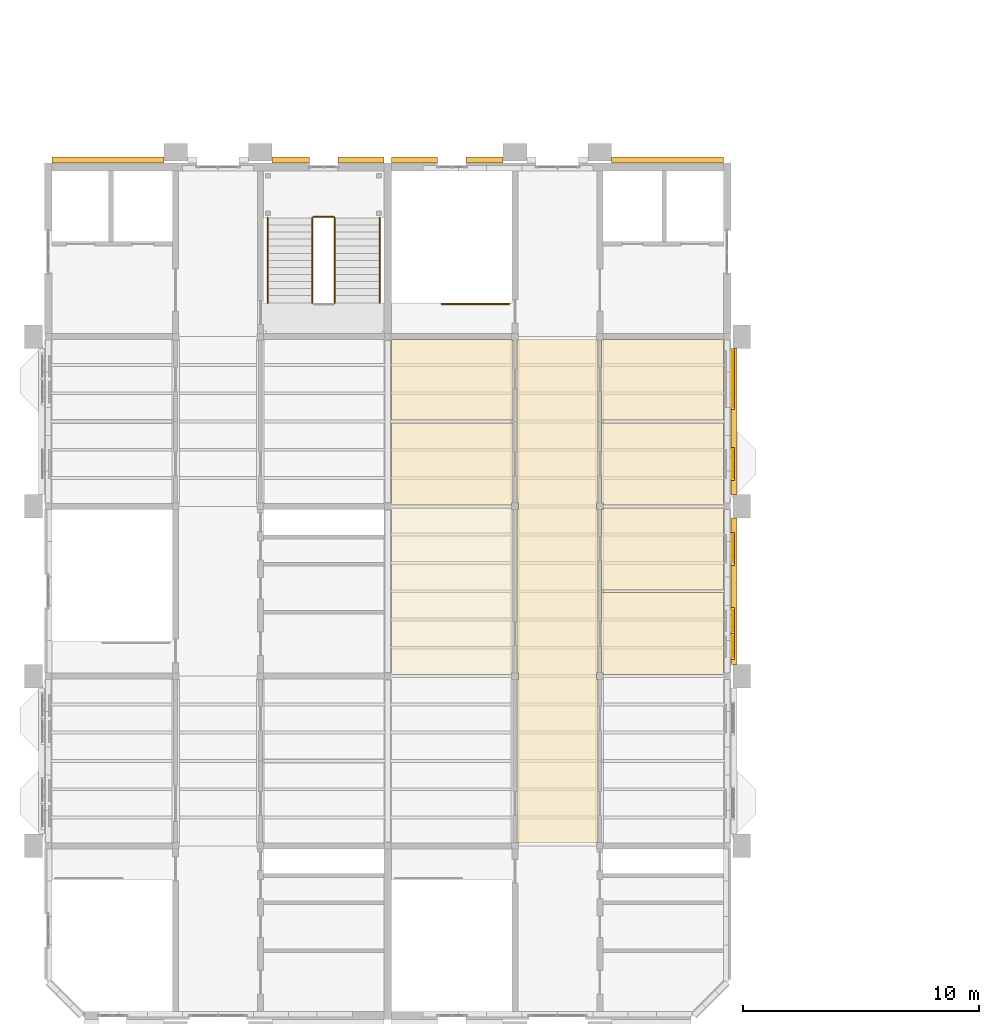
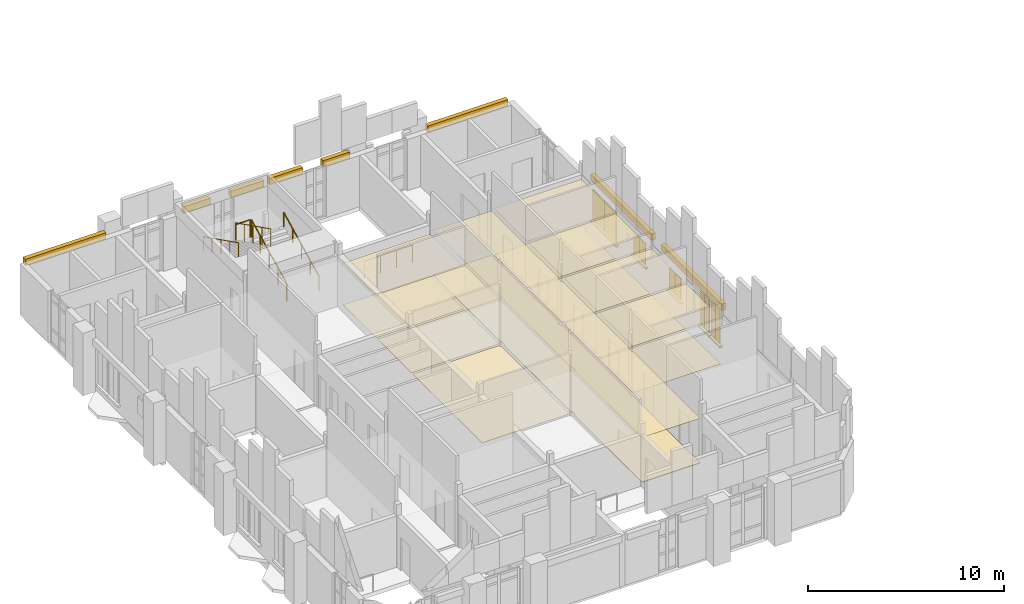
# One storey, part 47 of 51: 38 coverings, 6 railings.
"""IFC4 building model written with IfcOpenShell, lengths in metres."""

from ifc_helpers import new_model, si_unit, direction, frame, origin, origin_2d, place, context, subcontext, project, spatial, polyline, rectangle, circle, outline, extrude, material, layer, layer_set, type_object, element, save


model = new_model("IFC4")

# Units and contexts
model_context = context("Model", 3, precision=1e-05, world=origin(), true_north=direction((0.0, 1.0)))
body_context = subcontext(model_context, "Body", "Model", "MODEL_VIEW")
ifc_project = project(units=[si_unit("LENGTHUNIT", "METRE"), si_unit("AREAUNIT", "SQUARE_METRE"), si_unit("VOLUMEUNIT", "CUBIC_METRE"), si_unit("PLANEANGLEUNIT", "RADIAN"), si_unit("MASSUNIT", "GRAM", prefix="KILO")], contexts=[model_context])

# Site, building, storey
site_placement = place(None, origin())
site = spatial("IfcSite", under=ifc_project, at=site_placement, CompositionType="ELEMENT")
building_placement = place(site_placement, origin())
building = spatial("IfcBuilding", under=site, at=building_placement, Name="Mazhai Court Health Centre", CompositionType="ELEMENT")
storey_placement = place(building_placement, frame((0.0, 0.0, 14.10009765625)))
storey = spatial("IfcBuildingStorey", under=building, at=storey_placement, Name="L03", CompositionType="ELEMENT", Elevation=14.10009765625)

# Coverings
ifc_material_1 = material(Name="Clay brick masonry", Category="masonry")
ifc_layer_1 = layer(ifc_material_1, 0.25)
ifc_layer_set_1 = layer_set([ifc_layer_1], Name="BRICK BAND 250")
covering_type_1 = type_object("IfcCoveringType", Name="BRICK BAND 250", PredefinedType="MOLDING", material=ifc_layer_set_1)
covering_1_placement = place(storey_placement, frame((0.0, 0.0, 2.949951171875)))
element("IfcCovering", 1, at=covering_1_placement, inside=storey, type_object=covering_type_1, Name="EB-V2-L03-Ep0-0", PredefinedType="MOLDING", context=body_context, shape_type="SweptSolid", body=[
    extrude(outline(polyline([(6.364990234375, 42.364990234375), (11.10009765625, 42.364990234375), (11.10009765625, 42.614990234375), (6.364990234375, 42.614990234375), (6.364990234375, 42.364990234375)])), origin(), (0.0, 0.0, 1.0), 0.39990234375),
])
covering_2_placement = place(storey_placement, frame((0.0, 0.0, 2.949951171875)))
element("IfcCovering", 2, at=covering_2_placement, inside=storey, type_object=covering_type_1, Name="EB-V2-L03-Ep1-1", PredefinedType="MOLDING", context=body_context, shape_type="SweptSolid", body=[
    extrude(outline(polyline([(15.699951171875, 42.364990234375), (17.280029296875, 42.364990234375), (17.280029296875, 42.614990234375), (15.699951171875, 42.614990234375), (15.699951171875, 42.364990234375)])), origin(), (0.0, 0.0, 1.0), 0.39990234375),
])
covering_3_placement = place(storey_placement, frame((0.0, 0.0, 2.949951171875)))
element("IfcCovering", 3, at=covering_3_placement, inside=storey, type_object=covering_type_1, Name="EB-V2-L03-Ep2-0", PredefinedType="MOLDING", context=body_context, shape_type="SweptSolid", body=[
    extrude(outline(polyline([(18.47998046875, 42.364990234375), (20.43505859375, 42.364990234375), (20.43505859375, 42.614990234375), (18.47998046875, 42.614990234375), (18.47998046875, 42.364990234375)])), origin(), (0.0, 0.0, 1.0), 0.39990234375),
])
covering_4_placement = place(storey_placement, frame((0.0, 0.0, 2.949951171875)))
element("IfcCovering", 4, at=covering_4_placement, inside=storey, type_object=covering_type_1, Name="EB-V5-L03-B2p0-0", PredefinedType="MOLDING", context=body_context, shape_type="SweptSolid", body=[
    extrude(outline(polyline([(35.1650390625, 27.300048828125), (35.1650390625, 21.10009765625), (35.4150390625, 21.10009765625), (35.4150390625, 27.300048828125), (35.1650390625, 27.300048828125)])), origin(), (0.0, 0.0, 1.0), 0.39990234375),
])
covering_5_placement = place(storey_placement, frame((0.0, 0.0, 2.949951171875)))
element("IfcCovering", 5, at=covering_5_placement, inside=storey, type_object=covering_type_1, Name="EB-V5-L03-B3p0-0", PredefinedType="MOLDING", context=body_context, shape_type="SweptSolid", body=[
    extrude(outline(polyline([(35.1650390625, 34.5), (35.1650390625, 28.300048828125), (35.4150390625, 28.300048828125), (35.4150390625, 34.5), (35.1650390625, 34.5)])), origin(), (0.0, 0.0, 1.0), 0.39990234375),
])
covering_6_placement = place(storey_placement, frame((0.0, 0.0, 2.949951171875)))
element("IfcCovering", 6, at=covering_6_placement, inside=storey, type_object=covering_type_1, Name="EB-V5-L03-Ep0-0", PredefinedType="MOLDING", context=body_context, shape_type="SweptSolid", body=[
    extrude(outline(polyline([(20.764892578125, 42.364990234375), (22.719970703125, 42.364990234375), (22.719970703125, 42.614990234375), (20.764892578125, 42.614990234375), (20.764892578125, 42.364990234375)])), origin(), (0.0, 0.0, 1.0), 0.39990234375),
])
covering_7_placement = place(storey_placement, frame((0.0, 0.0, 2.949951171875)))
element("IfcCovering", 7, at=covering_7_placement, inside=storey, type_object=covering_type_1, Name="EB-V5-L03-Ep1-0", PredefinedType="MOLDING", context=body_context, shape_type="SweptSolid", body=[
    extrude(outline(polyline([(23.919921875, 42.364990234375), (25.5, 42.364990234375), (25.5, 42.614990234375), (23.919921875, 42.614990234375), (23.919921875, 42.364990234375)])), origin(), (0.0, 0.0, 1.0), 0.39990234375),
])
covering_8_placement = place(storey_placement, frame((0.0, 0.0, 2.949951171875)))
element("IfcCovering", 8, at=covering_8_placement, inside=storey, type_object=covering_type_1, Name="EB-V5-L03-Ep2-1", PredefinedType="MOLDING", context=body_context, shape_type="SweptSolid", body=[
    extrude(outline(polyline([(30.10009765625, 42.364990234375), (34.8349609375, 42.364990234375), (34.8349609375, 42.614990234375), (30.10009765625, 42.614990234375), (30.10009765625, 42.364990234375)])), origin(), (0.0, 0.0, 1.0), 0.39990234375),
])
ifc_material_2 = material(Name="Clay brick masonry", Category="masonry")
ifc_layer_2 = layer(ifc_material_2, 0.14990234375)
ifc_layer_set_2 = layer_set([ifc_layer_2], Name="BRICK SILL COURSE 150")
covering_type_2 = type_object("IfcCoveringType", Name="BRICK SILL COURSE 150", PredefinedType="MOLDING", material=ifc_layer_set_2)
covering_9_placement = place(storey_placement, frame((0.0, 0.0, 0.47998046875)))
element("IfcCovering", 9, at=covering_9_placement, inside=storey, type_object=covering_type_2, Name="ES-WN-V5-L03-B20a", PredefinedType="MOLDING", context=body_context, shape_type="SweptSolid", body=[
    extrude(outline(polyline([(35.1650390625, 22.39990234375), (35.1650390625, 21.300048828125), (35.31494140625, 21.300048828125), (35.31494140625, 22.39990234375), (35.1650390625, 22.39990234375)])), origin(), (0.0, 0.0, 1.0), 0.119873046875),
])
covering_10_placement = place(storey_placement, frame((0.0, 0.0, 0.47998046875)))
element("IfcCovering", 10, at=covering_10_placement, inside=storey, type_object=covering_type_2, Name="ES-WN-V5-L03-B20b", PredefinedType="MOLDING", context=body_context, shape_type="SweptSolid", body=[
    extrude(outline(polyline([(35.1650390625, 23.5), (35.1650390625, 22.39990234375), (35.31494140625, 22.39990234375), (35.31494140625, 23.5), (35.1650390625, 23.5)])), origin(), (0.0, 0.0, 1.0), 0.119873046875),
])
covering_11_placement = place(storey_placement, frame((0.0, 0.0, 0.77978515625)))
element("IfcCovering", 11, at=covering_11_placement, inside=storey, type_object=covering_type_2, Name="ES-WN-V5-L03-B21", PredefinedType="MOLDING", context=body_context, shape_type="SweptSolid", body=[
    extrude(outline(polyline([(35.1650390625, 26.699951171875), (35.1650390625, 25.300048828125), (35.31494140625, 25.300048828125), (35.31494140625, 26.699951171875), (35.1650390625, 26.699951171875)])), origin(), (0.0, 0.0, 1.0), 0.1201171875),
])
covering_12_placement = place(storey_placement, frame((0.0, 0.0, 0.77978515625)))
element("IfcCovering", 12, at=covering_12_placement, inside=storey, type_object=covering_type_2, Name="ES-WN-V5-L03-B30", PredefinedType="MOLDING", context=body_context, shape_type="SweptSolid", body=[
    extrude(outline(polyline([(35.1650390625, 30.300048828125), (35.1650390625, 28.89990234375), (35.31494140625, 28.89990234375), (35.31494140625, 30.300048828125), (35.1650390625, 30.300048828125)])), origin(), (0.0, 0.0, 1.0), 0.1201171875),
])
covering_13_placement = place(storey_placement, frame((0.0, 0.0, 0.329833984375)))
element("IfcCovering", 13, at=covering_13_placement, inside=storey, type_object=covering_type_2, Name="ES-WN-V5-L03-B31", PredefinedType="MOLDING", context=body_context, shape_type="SweptSolid", body=[
    extrude(outline(polyline([(35.1650390625, 34.5), (35.1650390625, 31.89990234375), (35.31494140625, 31.89990234375), (35.31494140625, 34.5), (35.1650390625, 34.5)])), origin(), (0.0, 0.0, 1.0), 0.1201171875),
])
ifc_material_3 = material(Name="Gypsum plasterboard ceiling")
ifc_layer_3 = layer(ifc_material_3, 0.02001953125)
ifc_layer_set_3 = layer_set([ifc_layer_3], Name="CEILING GYPSUM BOARD 20")
covering_type_3 = type_object("IfcCoveringType", Name="CEILING GYPSUM BOARD 20", PredefinedType="CEILING", material=ifc_layer_set_3)
covering_14_placement = place(storey_placement, frame((0.0, 0.0, 2.7998046875)))
element("IfcCovering", 14, at=covering_14_placement, inside=storey, type_object=covering_type_3, Name="ceil-V5-L03-A0-computer-training-room", PredefinedType="CEILING", context=body_context, shape_type="SweptSolid", body=[
    extrude(outline(polyline([(25.860107421875, 27.862548828125), (25.860107421875, 27.93994140625), (25.925048828125, 27.93994140625), (25.925048828125, 31.33740234375), (20.764892578125, 31.33740234375), (20.764892578125, 27.862548828125), (25.860107421875, 27.862548828125)])), origin(), (0.0, 0.0, 1.0), 0.02001953125),
])
covering_15_placement = place(storey_placement, frame((0.0, 0.0, 2.599853515625)))
element("IfcCovering", 15, at=covering_15_placement, inside=storey, type_object=covering_type_3, Name="ceil-V5-L03-A0-training-store", PredefinedType="CEILING", context=body_context, shape_type="SweptSolid", body=[
    extrude(outline(polyline([(25.925048828125, 34.860107421875), (25.860107421875, 34.860107421875), (25.860107421875, 34.875), (20.764892578125, 34.875), (20.764892578125, 31.46240234375), (25.925048828125, 31.46240234375), (25.925048828125, 34.860107421875)])), origin(), (0.0, 0.0, 1.0), 0.02001953125),
])
covering_16_placement = place(storey_placement, frame((0.0, 0.0, 2.89990234375)))
element("IfcCovering", 16, at=covering_16_placement, inside=storey, type_object=covering_type_3, Name="ceil-V5-L03-B0-meeting-room", PredefinedType="CEILING", context=body_context, shape_type="SweptSolid", body=[
    extrude(outline(polyline([(29.675048828125, 20.739990234375), (29.739990234375, 20.739990234375), (29.739990234375, 20.66259765625), (34.8349609375, 20.66259765625), (34.8349609375, 24.137451171875), (29.675048828125, 24.137451171875), (29.675048828125, 20.739990234375)])), origin(), (0.0, 0.0, 1.0), 0.02001953125),
])
covering_17_placement = place(storey_placement, frame((0.0, 0.0, 2.89990234375)))
element("IfcCovering", 17, at=covering_17_placement, inside=storey, type_object=covering_type_3, Name="ceil-V5-L03-B0-practice-manager-office", PredefinedType="CEILING", context=body_context, shape_type="SweptSolid", body=[
    extrude(outline(polyline([(29.739990234375, 27.737548828125), (29.739990234375, 27.659912109375), (29.675048828125, 27.659912109375), (29.675048828125, 24.262451171875), (34.8349609375, 24.262451171875), (34.8349609375, 27.737548828125), (29.739990234375, 27.737548828125)])), origin(), (0.0, 0.0, 1.0), 0.02001953125),
])
covering_18_placement = place(storey_placement, frame((0.0, 0.0, 2.89990234375)))
element("IfcCovering", 18, at=covering_18_placement, inside=storey, type_object=covering_type_3, Name="ceil-V5-L03-B0-staff-library", PredefinedType="CEILING", context=body_context, shape_type="SweptSolid", body=[
    extrude(outline(polyline([(29.675048828125, 27.93994140625), (29.739990234375, 27.93994140625), (29.739990234375, 27.862548828125), (34.8349609375, 27.862548828125), (34.8349609375, 31.33740234375), (29.675048828125, 31.33740234375), (29.675048828125, 27.93994140625)])), origin(), (0.0, 0.0, 1.0), 0.02001953125),
])
covering_19_placement = place(storey_placement, frame((0.0, 0.0, 2.89990234375)))
element("IfcCovering", 19, at=covering_19_placement, inside=storey, type_object=covering_type_3, Name="ceil-V5-L03-B0-staff-lounge", PredefinedType="CEILING", context=body_context, shape_type="SweptSolid", body=[
    extrude(outline(polyline([(29.739990234375, 34.875), (29.739990234375, 34.860107421875), (29.675048828125, 34.860107421875), (29.675048828125, 31.46240234375), (34.8349609375, 31.46240234375), (34.8349609375, 34.875), (29.739990234375, 34.875)])), origin(), (0.0, 0.0, 1.0), 0.02001953125),
])
ifc_material_4 = material(Name="Mineral fibre ceiling tile")
ifc_layer_4 = layer(ifc_material_4, 0.014892578125)
ifc_layer_set_4 = layer_set([ifc_layer_4], Name="CEILING MINERAL FIBRE TILE 15")
covering_type_4 = type_object("IfcCoveringType", Name="CEILING MINERAL FIBRE TILE 15", PredefinedType="CEILING", material=ifc_layer_set_4)
covering_20_placement = place(storey_placement, frame((0.0, 0.0, 2.7998046875)))
element("IfcCovering", 20, at=covering_20_placement, inside=storey, type_object=covering_type_4, Name="ceil-V5-L03-corridor-0", PredefinedType="CEILING", context=body_context, shape_type="SweptSolid", body=[
    extrude(outline(polyline([(29.4599609375, 13.52490234375), (29.4599609375, 13.5400390625), (29.52490234375, 13.5400390625), (29.52490234375, 20.4599609375), (29.4599609375, 20.4599609375), (29.4599609375, 20.739990234375), (29.52490234375, 20.739990234375), (29.52490234375, 27.659912109375), (29.4599609375, 27.659912109375), (29.4599609375, 27.93994140625), (29.52490234375, 27.93994140625), (29.52490234375, 34.860107421875), (29.4599609375, 34.860107421875), (29.4599609375, 34.875), (26.139892578125, 34.875), (26.139892578125, 34.860107421875), (26.074951171875, 34.860107421875), (26.074951171875, 27.93994140625), (26.139892578125, 27.93994140625), (26.139892578125, 27.659912109375), (26.074951171875, 27.659912109375), (26.074951171875, 20.739990234375), (26.139892578125, 20.739990234375), (26.139892578125, 20.4599609375), (26.074951171875, 20.4599609375), (26.074951171875, 13.5400390625), (26.139892578125, 13.5400390625), (26.139892578125, 13.52490234375), (29.4599609375, 13.52490234375)])), origin(), (0.0, 0.0, 1.0), 0.01513671875),
])
ifc_material_5 = material(Name="Heavy duty vinyl flooring")
ifc_layer_5 = layer(ifc_material_5, 0.02001953125)
ifc_layer_set_5 = layer_set([ifc_layer_5], Name="FLOOR FINISH HEAVY DUTY VINYL FLOORING 20")
covering_type_5 = type_object("IfcCoveringType", Name="FLOOR FINISH HEAVY DUTY VINYL FLOORING 20", PredefinedType="FLOORING", material=ifc_layer_set_5)
covering_21_placement = place(storey_placement, origin())
element("IfcCovering", 21, at=covering_21_placement, inside=storey, type_object=covering_type_5, Name="floor-V5-L03-A0-lecture-room", PredefinedType="FLOORING", context=body_context, shape_type="SweptSolid", body=[
    extrude(outline(polyline([(25.925048828125, 27.659912109375), (25.860107421875, 27.659912109375), (25.860107421875, 27.737548828125), (20.764892578125, 27.737548828125), (20.764892578125, 20.66259765625), (25.860107421875, 20.66259765625), (25.860107421875, 20.739990234375), (25.925048828125, 20.739990234375), (25.925048828125, 27.659912109375)])), origin(), (0.0, 0.0, 1.0), 0.02001953125),
])
covering_22_placement = place(storey_placement, origin())
element("IfcCovering", 22, at=covering_22_placement, inside=storey, type_object=covering_type_5, Name="floor-V5-L03-A0-computer-training-room", PredefinedType="FLOORING", context=body_context, shape_type="SweptSolid", body=[
    extrude(outline(polyline([(25.860107421875, 27.862548828125), (25.860107421875, 27.93994140625), (25.925048828125, 27.93994140625), (25.925048828125, 31.33740234375), (20.764892578125, 31.33740234375), (20.764892578125, 27.862548828125), (25.860107421875, 27.862548828125)])), origin(), (0.0, 0.0, 1.0), 0.02001953125),
])
covering_23_placement = place(storey_placement, origin())
element("IfcCovering", 23, at=covering_23_placement, inside=storey, type_object=covering_type_5, Name="floor-V5-L03-A0-training-store", PredefinedType="FLOORING", context=body_context, shape_type="SweptSolid", body=[
    extrude(outline(polyline([(25.925048828125, 34.860107421875), (25.860107421875, 34.860107421875), (25.860107421875, 34.875), (20.764892578125, 34.875), (20.764892578125, 31.46240234375), (25.925048828125, 31.46240234375), (25.925048828125, 34.860107421875)])), origin(), (0.0, 0.0, 1.0), 0.02001953125),
])
ifc_material_6 = material(Name="Linoleum flooring")
ifc_layer_6 = layer(ifc_material_6, 0.02001953125)
ifc_layer_set_6 = layer_set([ifc_layer_6], Name="FLOOR FINISH LINOLEUM FLOORING 20")
covering_type_6 = type_object("IfcCoveringType", Name="FLOOR FINISH LINOLEUM FLOORING 20", PredefinedType="FLOORING", material=ifc_layer_set_6)
covering_24_placement = place(storey_placement, origin())
element("IfcCovering", 24, at=covering_24_placement, inside=storey, type_object=covering_type_6, Name="floor-V5-L03-B0-meeting-room", PredefinedType="FLOORING", context=body_context, shape_type="SweptSolid", body=[
    extrude(outline(polyline([(29.675048828125, 20.739990234375), (29.739990234375, 20.739990234375), (29.739990234375, 20.66259765625), (34.8349609375, 20.66259765625), (34.8349609375, 24.137451171875), (29.675048828125, 24.137451171875), (29.675048828125, 20.739990234375)])), origin(), (0.0, 0.0, 1.0), 0.02001953125),
])
covering_25_placement = place(storey_placement, origin())
element("IfcCovering", 25, at=covering_25_placement, inside=storey, type_object=covering_type_6, Name="floor-V5-L03-B0-practice-manager-office", PredefinedType="FLOORING", context=body_context, shape_type="SweptSolid", body=[
    extrude(outline(polyline([(29.739990234375, 27.737548828125), (29.739990234375, 27.659912109375), (29.675048828125, 27.659912109375), (29.675048828125, 24.262451171875), (34.8349609375, 24.262451171875), (34.8349609375, 27.737548828125), (29.739990234375, 27.737548828125)])), origin(), (0.0, 0.0, 1.0), 0.02001953125),
])
covering_26_placement = place(storey_placement, origin())
element("IfcCovering", 26, at=covering_26_placement, inside=storey, type_object=covering_type_6, Name="floor-V5-L03-B0-staff-library", PredefinedType="FLOORING", context=body_context, shape_type="SweptSolid", body=[
    extrude(outline(polyline([(29.675048828125, 27.93994140625), (29.739990234375, 27.93994140625), (29.739990234375, 27.862548828125), (34.8349609375, 27.862548828125), (34.8349609375, 31.33740234375), (29.675048828125, 31.33740234375), (29.675048828125, 27.93994140625)])), origin(), (0.0, 0.0, 1.0), 0.02001953125),
])
covering_27_placement = place(storey_placement, origin())
element("IfcCovering", 27, at=covering_27_placement, inside=storey, type_object=covering_type_6, Name="floor-V5-L03-B0-staff-lounge", PredefinedType="FLOORING", context=body_context, shape_type="SweptSolid", body=[
    extrude(outline(polyline([(29.739990234375, 34.875), (29.739990234375, 34.860107421875), (29.675048828125, 34.860107421875), (29.675048828125, 31.46240234375), (34.8349609375, 31.46240234375), (34.8349609375, 34.875), (29.739990234375, 34.875)])), origin(), (0.0, 0.0, 1.0), 0.02001953125),
])
ifc_material_7 = material(Name="Terrazzo flooring")
ifc_layer_7 = layer(ifc_material_7, 0.0400390625)
ifc_layer_set_7 = layer_set([ifc_layer_7], Name="FLOOR FINISH TERRAZZO FLOORING 40")
covering_type_7 = type_object("IfcCoveringType", Name="FLOOR FINISH TERRAZZO FLOORING 40", PredefinedType="FLOORING", material=ifc_layer_set_7)
covering_28_placement = place(storey_placement, origin())
element("IfcCovering", 28, at=covering_28_placement, inside=storey, type_object=covering_type_7, Name="floor-V5-L03-corridor-0", PredefinedType="FLOORING", context=body_context, shape_type="SweptSolid", body=[
    extrude(outline(polyline([(29.4599609375, 13.52490234375), (29.4599609375, 13.5400390625), (29.52490234375, 13.5400390625), (29.52490234375, 20.4599609375), (29.4599609375, 20.4599609375), (29.4599609375, 20.739990234375), (29.52490234375, 20.739990234375), (29.52490234375, 27.659912109375), (29.4599609375, 27.659912109375), (29.4599609375, 27.93994140625), (29.52490234375, 27.93994140625), (29.52490234375, 34.860107421875), (29.4599609375, 34.860107421875), (29.4599609375, 34.875), (26.139892578125, 34.875), (26.139892578125, 34.860107421875), (26.074951171875, 34.860107421875), (26.074951171875, 27.93994140625), (26.139892578125, 27.93994140625), (26.139892578125, 27.659912109375), (26.074951171875, 27.659912109375), (26.074951171875, 20.739990234375), (26.139892578125, 20.739990234375), (26.139892578125, 20.4599609375), (26.074951171875, 20.4599609375), (26.074951171875, 13.5400390625), (26.139892578125, 13.5400390625), (26.139892578125, 13.52490234375), (29.4599609375, 13.52490234375)])), origin(), (0.0, 0.0, 1.0), 0.039794921875),
])
ifc_material_8 = material(Name="Aluminium louvre", Category="aluminium")
ifc_layer_8 = layer(ifc_material_8, 0.0400390625)
ifc_layer_set_8 = layer_set([ifc_layer_8], Name="SHUTTER LEAF 600x40")
covering_type_8 = type_object("IfcCoveringType", Name="SHUTTER LEAF 600x40", PredefinedType="CLADDING", material=ifc_layer_set_8)
for number, where, z_axis, x_axis, name in (
    (29, (35.2451171875, 21.625, 0.69970703125), (0.0, 0.0, 1.0), (0.0, 1.0, 0.0), "LV-V5-L03-B20aa"),
    (30, (35.2451171875, 22.074951171875, 0.69970703125), (0.0, 0.0, 1.0), (0.0, 1.0, 0.0), "LV-V5-L03-B20ab"),
    (31, (35.2451171875, 22.72509765625, 0.69970703125), (0.0, 0.0, 1.0), (0.0, 1.0, 0.0), "LV-V5-L03-B20ba"),
    (32, (35.2451171875, 23.175048828125, 0.69970703125), (0.0, 0.0, 1.0), (0.0, 1.0, 0.0), "LV-V5-L03-B20bb"),
):
    element("IfcCovering", number, at=place(storey_placement, frame(where, z_axis=z_axis, x_axis=x_axis)), inside=storey, type_object=covering_type_8, Name=name, PredefinedType="CLADDING", context=body_context, shape_type="SweptSolid", body=[
        extrude(rectangle(XDim=0.449951171875, YDim=0.0400390625, at=origin_2d()), origin(), (0.0, 0.0, 1.0), 2.199951171875),
    ])
for number, where, z_axis, x_axis, name in (
    (33, (35.2451171875, 25.699951171875, 1.0), (0.0, 0.0, 1.0), (0.0, 1.0, 0.0), "LV-V5-L03-B21a"),
    (34, (35.2451171875, 26.300048828125, 1.0), (0.0, 0.0, 1.0), (0.0, 1.0, 0.0), "LV-V5-L03-B21b"),
    (35, (35.2451171875, 29.300048828125, 1.0), (0.0, 0.0, 1.0), (0.0, 1.0, 0.0), "LV-V5-L03-B30a"),
    (36, (35.2451171875, 29.89990234375, 1.0), (0.0, 0.0, 1.0), (0.0, 1.0, 0.0), "LV-V5-L03-B30b"),
):
    element("IfcCovering", number, at=place(storey_placement, frame(where, z_axis=z_axis, x_axis=x_axis)), inside=storey, type_object=covering_type_8, Name=name, PredefinedType="CLADDING", context=body_context, shape_type="SweptSolid", body=[
        extrude(rectangle(XDim=0.60009765625, YDim=0.0400390625, at=origin_2d()), origin(), (0.0, 0.0, 1.0), 1.300048828125),
    ])
for number, where, z_axis, x_axis, name in (
    (37, (35.2451171875, 32.60009765625, 0.550048828125), (0.0, 0.0, 1.0), (0.0, 1.0, 0.0), "LV-V5-L03-B31a"),
    (38, (35.2451171875, 33.800048828125, 0.550048828125), (0.0, 0.0, 1.0), (0.0, 1.0, 0.0), "LV-V5-L03-B31b"),
):
    element("IfcCovering", number, at=place(storey_placement, frame(where, z_axis=z_axis, x_axis=x_axis)), inside=storey, type_object=covering_type_8, Name=name, PredefinedType="CLADDING", context=body_context, shape_type="SweptSolid", body=[
        extrude(rectangle(XDim=1.199951171875, YDim=0.0400390625, at=origin_2d()), origin(), (0.0, 0.0, 1.0), 1.89990234375),
    ])

# Railings
ifc_material_9 = material(Name="Steel IS 2062 E250", Category="steel")
railing_type_1 = type_object("IfcRailingType", Name="STAIR GUARD 1100", PredefinedType="GUARDRAIL", material=ifc_material_9)
railing_1_placement = place(storey_placement, frame((18.35498046875, 36.43505859375, 0.14990234375)))
element("IfcRailing", 39, at=railing_1_placement, inside=storey, type_object=railing_type_1, Name="L03 ST3 stair guard 1", PredefinedType="GUARDRAIL", context=body_context, shape_type="SweptSolid", body=[
    extrude(circle(Radius=0.02392578125, at=origin_2d()), frame((0.0, 0.0, 1.076171875), z_axis=(0.0, 0.894415058897, 0.447237858884), x_axis=(-1.0, 0.0, 0.0)), (0.0, 0.0, 1.0), 4.02490234375),
    extrude(circle(Radius=0.02099609375, at=origin_2d()), origin(), (0.0, 0.0, 1.0), 1.052001953125),
    extrude(circle(Radius=0.02099609375, at=origin_2d()), frame((0.0, 0.89990234375, 0.449951171875)), (0.0, 0.0, 1.0), 1.052001953125),
    extrude(circle(Radius=0.02099609375, at=origin_2d()), frame((0.0, 1.7998046875, 0.89990234375)), (0.0, 0.0, 1.0), 1.052001953125),
    extrude(circle(Radius=0.02099609375, at=origin_2d()), frame((0.0, 2.699951171875, 1.35009765625)), (0.0, 0.0, 1.0), 1.052001953125),
    extrude(circle(Radius=0.02099609375, at=origin_2d()), frame((0.0, 3.599853515625, 1.800048828125)), (0.0, 0.0, 1.0), 1.052001953125),
])
railing_2_placement = place(storey_placement, frame((18.304931640625, 40.0849609375, 1.949951171875)))
element("IfcRailing", 40, at=railing_2_placement, inside=storey, type_object=railing_type_1, Name="L03 ST3 stair guard 2", PredefinedType="GUARDRAIL", context=body_context, shape_type="SweptSolid", body=[
    extrude(circle(Radius=0.02392578125, at=origin_2d()), frame((0.0, 0.0, 1.076171875), z_axis=(-1.0, 0.0, 0.0), x_axis=(0.0, -1.0, 0.0)), (0.0, 0.0, 1.0), 0.849853515625),
    extrude(circle(Radius=0.02099609375, at=origin_2d()), origin(), (0.0, 0.0, 1.0), 1.052001953125),
    extrude(circle(Radius=0.02099609375, at=origin_2d()), frame((-0.849853515625, 0.0, 0.0)), (0.0, 0.0, 1.0), 1.052001953125),
])
railing_3_placement = place(storey_placement, frame((17.405029296875, 40.034912109375, 2.099853515625)))
element("IfcRailing", 41, at=railing_3_placement, inside=storey, type_object=railing_type_1, Name="L03 ST3 stair guard 3", PredefinedType="GUARDRAIL", context=body_context, shape_type="SweptSolid", body=[
    extrude(circle(Radius=0.02392578125, at=origin_2d()), frame((0.0, 0.0, 1.076171875), z_axis=(0.0, -0.894415058897, 0.447237858884), x_axis=(1.0, 0.0, 0.0)), (0.0, 0.0, 1.0), 4.02490234375),
    extrude(circle(Radius=0.02099609375, at=origin_2d()), origin(), (0.0, 0.0, 1.0), 1.052001953125),
    extrude(circle(Radius=0.02099609375, at=origin_2d()), frame((0.0, -0.89990234375, 0.449951171875)), (0.0, 0.0, 1.0), 1.052001953125),
    extrude(circle(Radius=0.02099609375, at=origin_2d()), frame((0.0, -1.7998046875, 0.89990234375)), (0.0, 0.0, 1.0), 1.052001953125),
    extrude(circle(Radius=0.02099609375, at=origin_2d()), frame((0.0, -2.699951171875, 1.35009765625)), (0.0, 0.0, 1.0), 1.052001953125),
    extrude(circle(Radius=0.02099609375, at=origin_2d()), frame((0.0, -3.599853515625, 1.800048828125)), (0.0, 0.0, 1.0), 1.052001953125),
])
railing_4_placement = place(storey_placement, frame((25.7451171875, 36.385009765625, 0.0)))
element("IfcRailing", 42, at=railing_4_placement, inside=storey, type_object=railing_type_1, Name="L03 ST5 top well guard 1", PredefinedType="GUARDRAIL", context=body_context, shape_type="SweptSolid", body=[
    extrude(circle(Radius=0.02392578125, at=origin_2d()), frame((0.0, 0.0, 1.076171875), z_axis=(-1.0, 0.0, 0.0), x_axis=(0.0, -1.0, 0.0)), (0.0, 0.0, 1.0), 2.85009765625),
    extrude(circle(Radius=0.02099609375, at=origin_2d()), origin(), (0.0, 0.0, 1.0), 1.052001953125),
    extrude(circle(Radius=0.02099609375, at=origin_2d()), frame((-0.949951171875, 0.0, 0.0)), (0.0, 0.0, 1.0), 1.052001953125),
    extrude(circle(Radius=0.02099609375, at=origin_2d()), frame((-1.900146484375, 0.0, 0.0)), (0.0, 0.0, 1.0), 1.052001953125),
    extrude(circle(Radius=0.02099609375, at=origin_2d()), frame((-2.85009765625, 0.0, 0.0)), (0.0, 0.0, 1.0), 1.052001953125),
])
ifc_material_10 = material(Name="Steel IS 2062 E250", Category="steel")
railing_type_2 = type_object("IfcRailingType", Name="STAIR HANDRAIL 900", PredefinedType="HANDRAIL", material=ifc_material_10)
railing_5_placement = place(storey_placement, frame((20.2548828125, 36.43505859375, 0.14990234375)))
element("IfcRailing", 43, at=railing_5_placement, inside=storey, type_object=railing_type_2, Name="L03 ST3 stair handrail 1", PredefinedType="HANDRAIL", context=body_context, shape_type="SweptSolid", body=[
    extrude(circle(Radius=0.02392578125, at=origin_2d()), frame((0.0, 0.0, 0.8759765625), z_axis=(0.0, 0.894415058897, 0.447237858884), x_axis=(-1.0, 0.0, 0.0)), (0.0, 0.0, 1.0), 4.02490234375),
    extrude(circle(Radius=0.02099609375, at=origin_2d()), origin(), (0.0, 0.0, 1.0), 0.851806640625),
    extrude(circle(Radius=0.02099609375, at=origin_2d()), frame((0.0, 0.89990234375, 0.449951171875)), (0.0, 0.0, 1.0), 0.851806640625),
    extrude(circle(Radius=0.02099609375, at=origin_2d()), frame((0.0, 1.7998046875, 0.89990234375)), (0.0, 0.0, 1.0), 0.851806640625),
    extrude(circle(Radius=0.02099609375, at=origin_2d()), frame((0.0, 2.699951171875, 1.35009765625)), (0.0, 0.0, 1.0), 0.851806640625),
    extrude(circle(Radius=0.02099609375, at=origin_2d()), frame((0.0, 3.599853515625, 1.800048828125)), (0.0, 0.0, 1.0), 0.851806640625),
])
railing_6_placement = place(storey_placement, frame((15.5048828125, 40.034912109375, 2.099853515625)))
element("IfcRailing", 44, at=railing_6_placement, inside=storey, type_object=railing_type_2, Name="L03 ST3 stair handrail 2", PredefinedType="HANDRAIL", context=body_context, shape_type="SweptSolid", body=[
    extrude(circle(Radius=0.02392578125, at=origin_2d()), frame((0.0, 0.0, 0.8759765625), z_axis=(0.0, -0.894415058897, 0.447237858884), x_axis=(1.0, 0.0, 0.0)), (0.0, 0.0, 1.0), 4.02490234375),
    extrude(circle(Radius=0.02099609375, at=origin_2d()), origin(), (0.0, 0.0, 1.0), 0.851806640625),
    extrude(circle(Radius=0.02099609375, at=origin_2d()), frame((0.0, -0.89990234375, 0.449951171875)), (0.0, 0.0, 1.0), 0.851806640625),
    extrude(circle(Radius=0.02099609375, at=origin_2d()), frame((0.0, -1.7998046875, 0.89990234375)), (0.0, 0.0, 1.0), 0.851806640625),
    extrude(circle(Radius=0.02099609375, at=origin_2d()), frame((0.0, -2.699951171875, 1.35009765625)), (0.0, 0.0, 1.0), 0.851806640625),
    extrude(circle(Radius=0.02099609375, at=origin_2d()), frame((0.0, -3.599853515625, 1.800048828125)), (0.0, 0.0, 1.0), 0.851806640625),
])

save(model, "model.ifc")
